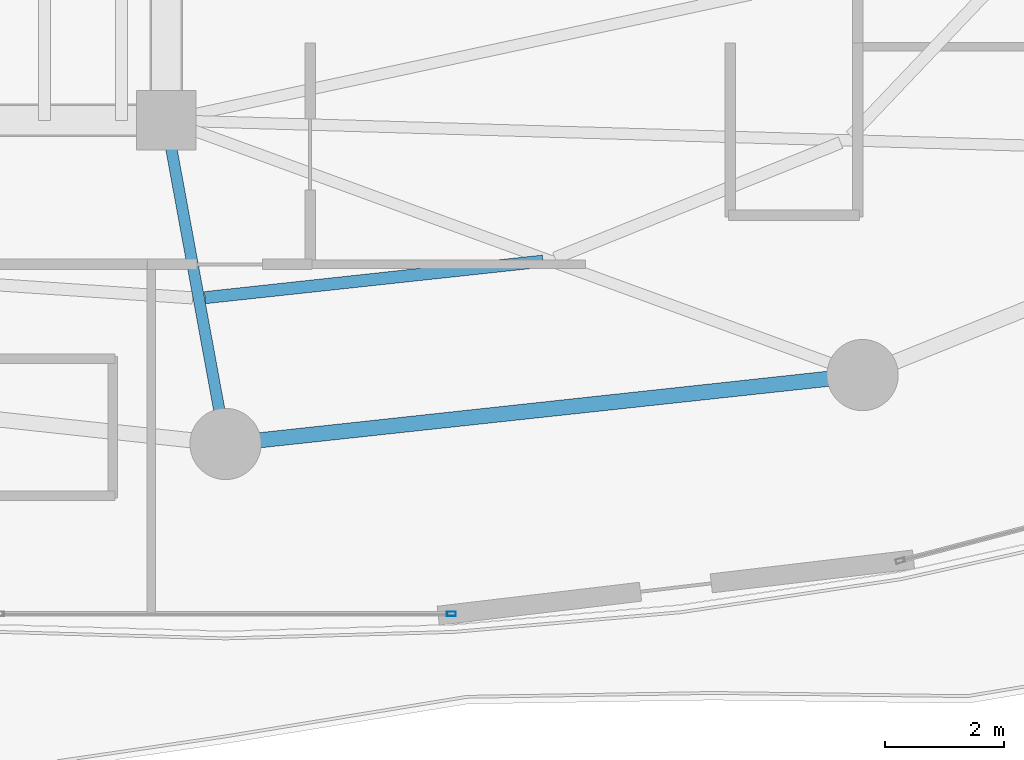
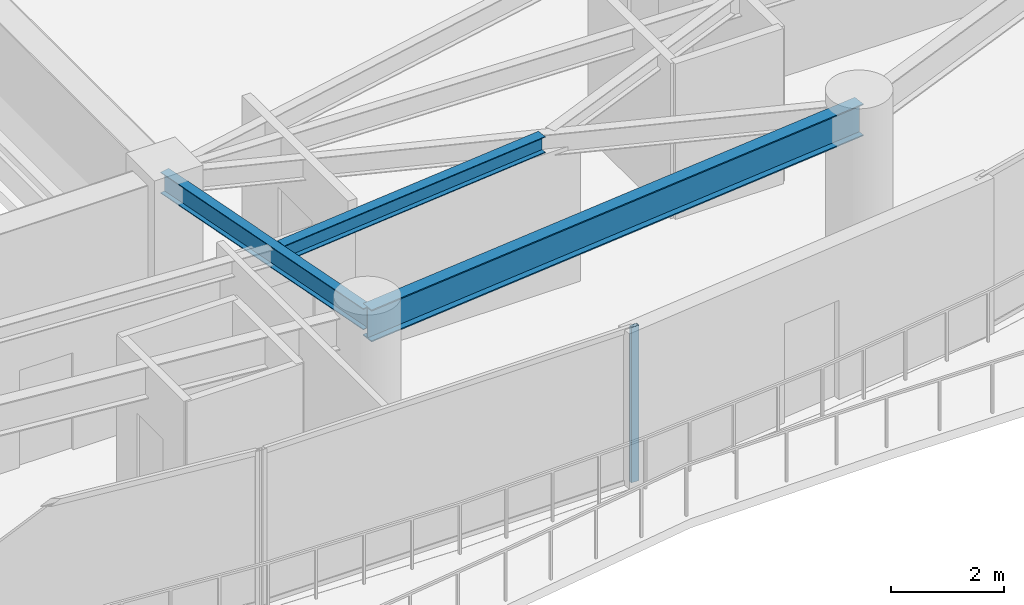
# One storey, part 10 of 34: 3 beams, 1 member, 1 element without a shape of its own.
"""IFC4 building model written with IfcOpenShell, lengths in metres."""

from ifc_helpers import new_model, si_unit, direction, frame, origin, origin_2d, place, context, subcontext, project, spatial, hollow_rectangle, i_section, extrude, material, layer, layer_set, material_profile, profile_set, type_object, element, aggregate, save


model = new_model("IFC4")

# Units and contexts
model_context = context("Model", 3, precision=1e-05, world=origin(), true_north=direction((0.0, 1.0)))
body_context = subcontext(model_context, "Body", "Model", "MODEL_VIEW")
ifc_project = project(units=[si_unit("LENGTHUNIT", "METRE"), si_unit("AREAUNIT", "SQUARE_METRE"), si_unit("VOLUMEUNIT", "CUBIC_METRE"), si_unit("PLANEANGLEUNIT", "RADIAN"), si_unit("MASSUNIT", "GRAM", prefix="KILO")], contexts=[model_context])

# Site, building, storey
site_placement = place(None, origin())
site = spatial("IfcSite", under=ifc_project, at=site_placement, CompositionType="ELEMENT")
building_placement = place(site_placement, origin())
building = spatial("IfcBuilding", under=site, at=building_placement, Name="Kazevale Care Tower and Concert Hall", CompositionType="ELEMENT")
storey_placement = place(building_placement, frame((0.0, 0.0, 171.0)))
storey = spatial("IfcBuildingStorey", under=building, at=storey_placement, Name="L45", CompositionType="ELEMENT", Elevation=171.0)

# Curtain wall, member
ifc_material_1 = material(Name="Aluminium 6063-T6 and Low-E Glass", Category="aluminium")
ifc_layer = layer(ifc_material_1, 0.179931640625)
ifc_layer_set = layer_set([ifc_layer], Name="Aluminium 6063-T6 and Low-E Glass")
curtain_wall_type = type_object("IfcCurtainWallType", Name="Sheltered Concave Balcony Curtain Wall CW-5", PredefinedType="NOTDEFINED", material=ifc_layer_set)
curtain_wall_placement = place(storey_placement, origin())
curtain_wall = element("IfcCurtainWall", 1, at=curtain_wall_placement, inside=storey, type_object=curtain_wall_type, Name="cw:L45:f06", PredefinedType="NOTDEFINED")
ifc_material_2 = material(Name="Aluminium 6063-T6", Category="aluminium")
ifc_material_profile_1 = material_profile(ifc_material_2, hollow_rectangle(XDim=0.074951171875, YDim=0.14990234375, WallThickness=0.00390625, at=origin_2d()), Name="ALU75x150x4")
ifc_profile_set_1 = profile_set([ifc_material_profile_1], Name="Aluminium 6063-T6")
member_type = type_object("IfcMemberType", Name="CW-5 Mullion ALU75x150x4", PredefinedType="MULLION", material=ifc_profile_set_1)
member_placement = place(storey_placement, frame((48.803466796875, 15.2890625, 0.0), z_axis=(0.0, 0.0, 1.0), x_axis=(0.0, -1.0, 0.0)))
member = element("IfcMember", 2, at=member_placement, type_object=member_type, Name="CW-5 mullion 1", PredefinedType="MULLION", context=body_context, shape_type="SweptSolid", body=[
    extrude(hollow_rectangle(XDim=0.074951171875, YDim=0.14990234375, WallThickness=0.00390625, at=origin_2d()), origin(), (0.0, 0.0, 1.0), 3.360107421875),
])
aggregate(curtain_wall, [member])

# Beams
ifc_material_3 = material(Name="Steel ASTM A572 Gr 50", Category="steel")
ifc_material_profile_2 = material_profile(ifc_material_3, i_section(OverallWidth=0.19091796875, OverallDepth=0.4599609375, WebThickness=0.010009765625, FlangeThickness=0.01611328125, at=origin_2d()), Name="W460x82")
ifc_profile_set_2 = profile_set([ifc_material_profile_2], Name="Steel ASTM A572 Gr 50")
beam_type_1 = type_object("IfcBeamType", Name="Radial Floor Beam W460x82", PredefinedType="BEAM", material=ifc_profile_set_2)
beam_1_placement = place(storey_placement, frame((44.0, 23.60009765625, 3.1298828125), z_axis=(0.180467114023, -0.983581018908, 0.0), x_axis=(0.983581018908, 0.180467114023, 0.0)))
element("IfcBeam", 3, at=beam_1_placement, inside=storey, type_object=beam_type_1, Name="beam:L45:rad:13", PredefinedType="BEAM", context=body_context, shape_type="SweptSolid", body=[
    extrude(i_section(OverallWidth=0.19091796875, OverallDepth=0.4599609375, WebThickness=0.010009765625, FlangeThickness=0.01611328125, at=origin_2d()), origin(), (0.0, 0.0, 1.0), 5.541259765625),
])
ifc_material_profile_3 = material_profile(ifc_material_3, i_section(OverallWidth=0.205078125, OverallDepth=0.35400390625, WebThickness=0.009521484375, FlangeThickness=0.016845703125, at=origin_2d()), Name="W360x79")
ifc_profile_set_3 = profile_set([ifc_material_profile_3], Name="Steel ASTM A572 Gr 50")
beam_type_2 = type_object("IfcBeamType", Name="Secondary Floor Joist W360x79", PredefinedType="JOIST", material=ifc_profile_set_3)
beam_2_placement = place(storey_placement, frame((44.654052734375, 20.614013671875, 3.18310546875), z_axis=(0.994215541126, 0.107403248482, 0.0), x_axis=(-0.107403248482, 0.994215541126, 0.0)))
element("IfcBeam", 4, at=beam_2_placement, inside=storey, type_object=beam_type_2, Name="beam:L45:joist:13", PredefinedType="JOIST", context=body_context, shape_type="SweptSolid", body=[
    extrude(i_section(OverallWidth=0.205078125, OverallDepth=0.35400390625, WebThickness=0.009521484375, FlangeThickness=0.016845703125, at=origin_2d()), origin(), (0.0, 0.0, 1.0), 5.72607421875),
])
ifc_material_profile_4 = material_profile(ifc_material_3, i_section(OverallWidth=0.256103515625, OverallDepth=0.693115234375, WebThickness=0.014404296875, FlangeThickness=0.023681640625, at=origin_2d()), Name="W690x170")
ifc_profile_set_4 = profile_set([ifc_material_profile_4], Name="Steel ASTM A572 Gr 50")
beam_type_3 = type_object("IfcBeamType", Name="Waist Ring Beam W690x170", PredefinedType="BEAM", material=ifc_profile_set_4)
beam_3_placement = place(storey_placement, frame((45.0, 18.14990234375, 3.013427734375), z_axis=(0.994205479487, 0.107496346724, 0.0), x_axis=(-0.107496346724, 0.994205479487, 0.0)))
element("IfcBeam", 5, at=beam_3_placement, inside=storey, type_object=beam_type_3, Name="beam:L45:ring:13", PredefinedType="BEAM", context=body_context, shape_type="SweptSolid", body=[
    extrude(i_section(OverallWidth=0.256103515625, OverallDepth=0.693115234375, WebThickness=0.014404296875, FlangeThickness=0.023681640625, at=origin_2d()), origin(), (0.0, 0.0, 1.0), 10.79248046875),
])

save(model, "model.ifc")
